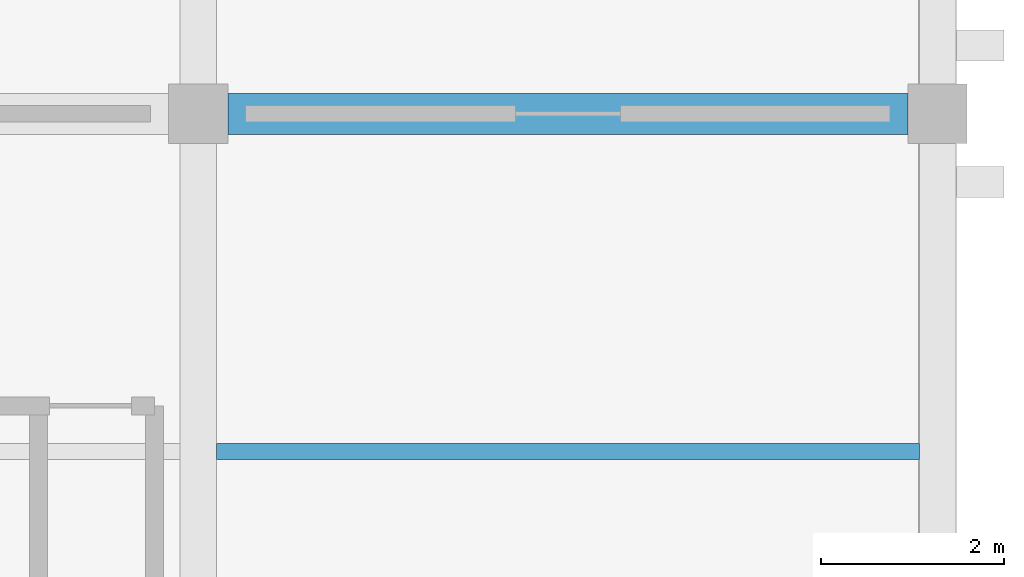
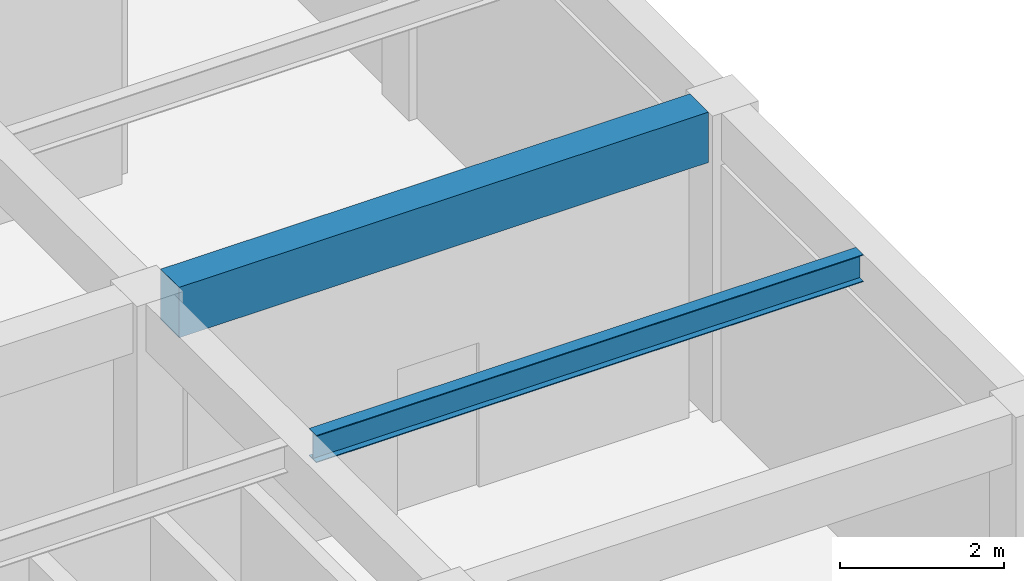
# One storey, part 110 of 161: 2 beams.
"""IFC4 building model written with IfcOpenShell, lengths in metres."""

import ifcopenshell
import ifcopenshell.guid

model = None  # the IFC model being written
_history = None  # IfcOwnerHistory: only IFC2X3 demands one
_inside = {}  # id of a spatial element -> (the spatial element, [elements in it])
_under = {}  # id of a project, library or spatial element -> (it, [spatial elements below it])
_declared = {}  # id of a project -> (the project, [libraries it declares])
_typed = {}  # id of a type object -> (the type object, [elements of that type])
_made_of = {}  # id of a material, layer set ... -> (it, [elements and type objects made of it])


def new_model(schema):
    """Start an empty IFC model of exactly this schema.

    Asked for "IFC4X3", IfcOpenShell would pick the latest addendum, in which some entities
    have other attributes; the version numbers below select the first issue.
    IFC2X3 requires an IfcOwnerHistory on every rooted entity: one is made here for all.
    """
    global model, _history
    if schema == "IFC4X3":
        model = ifcopenshell.file(schema_version=(4, 3, 0, 0))
    else:
        model = ifcopenshell.file(schema=schema)
    _inside.clear()
    _under.clear()
    _declared.clear()
    _typed.clear()
    _made_of.clear()
    _history = None
    if model.schema == "IFC2X3":
        org = make("IfcOrganization", Name="unknown")
        user = make(
            "IfcPersonAndOrganization",
            ThePerson=make("IfcPerson", FamilyName="unknown"),
            TheOrganization=org,
        )
        app = make(
            "IfcApplication",
            ApplicationDeveloper=org,
            Version="unknown",
            ApplicationFullName="unknown",
            ApplicationIdentifier="unknown",
        )
        _history = make(
            "IfcOwnerHistory",
            OwningUser=user,
            OwningApplication=app,
            ChangeAction="ADDED",
            CreationDate=0,
        )
    return model


def make(cls, **values):
    """One entity of the class cls with the attributes given. An attribute that is None is left unset."""
    return model.create_entity(
        cls, **{name: value for name, value in values.items() if value is not None}
    )


def rooted(cls, **values):
    """An entity with a GlobalId (a new one), such as an element, a storey or a relation."""
    return make(cls, GlobalId=ifcopenshell.guid.new(), OwnerHistory=_history, **values)


def si_unit(unit_type, name, prefix=None):
    """IfcSIUnit, for example si_unit("LENGTHUNIT", "METRE", prefix="MILLI")."""
    return make("IfcSIUnit", UnitType=unit_type, Prefix=prefix, Name=name)


def assignment(units):
    """IfcUnitAssignment: the units of a project."""
    return None if units is None else make("IfcUnitAssignment", Units=units)


def point(xyz):
    """IfcCartesianPoint."""
    return None if xyz is None else make("IfcCartesianPoint", Coordinates=xyz)


def direction(xyz):
    """IfcDirection."""
    return None if xyz is None else make("IfcDirection", DirectionRatios=xyz)


def frame(location, z_axis=None, x_axis=None):
    """IfcAxis2Placement3D, a coordinate frame: its origin and axes. An axis left out is left unset."""
    return make(
        "IfcAxis2Placement3D",
        Location=point(location),
        Axis=direction(z_axis),
        RefDirection=direction(x_axis),
    )


def frame_2d(location, x_axis=None):
    """IfcAxis2Placement2D, a coordinate frame in the plane: its origin and x axis."""
    return make(
        "IfcAxis2Placement2D", Location=point(location), RefDirection=direction(x_axis)
    )


def origin():
    """The frame at (0, 0, 0) with its axes left unset."""
    return frame((0.0, 0.0, 0.0))


def origin_2d():
    """The frame at (0, 0) in the plane with its x axis left unset."""
    return frame_2d((0.0, 0.0))


def place(relative_to, where):
    """IfcLocalPlacement: puts the frame where relative to a parent placement (None: the world)."""
    return make(
        "IfcLocalPlacement", PlacementRelTo=relative_to, RelativePlacement=where
    )


def context(
    kind, dimensions, precision=None, world=None, true_north=None, identifier=None
):
    """IfcGeometricRepresentationContext, for example the 3D "Model" context."""
    return make(
        "IfcGeometricRepresentationContext",
        ContextIdentifier=identifier,
        ContextType=kind,
        CoordinateSpaceDimension=dimensions,
        Precision=precision,
        WorldCoordinateSystem=world,
        TrueNorth=true_north,
    )


def subcontext(parent, identifier, kind, view, scale=None):
    """IfcGeometricRepresentationSubContext, for example "Body" below "Model"."""
    return make(
        "IfcGeometricRepresentationSubContext",
        ContextIdentifier=identifier,
        ContextType=kind,
        ParentContext=parent,
        TargetScale=scale,
        TargetView=view,
    )


def project(units=None, contexts=None):
    """IfcProject with its units and contexts."""
    return rooted(
        "IfcProject",
        Name="project",
        RepresentationContexts=contexts,
        UnitsInContext=assignment(units),
    )


def spatial(cls, under=None, at=None, **own):
    """A site, building, storey or space (cls), placed at a placement, below another one or the project."""
    s = rooted(cls, ObjectPlacement=at, **own)
    if under is not None:
        _under.setdefault(under.id(), (under, []))[1].append(s)
    return s


def profile(cls, at=None, kind="AREA", **sizes):
    """A parametric profile (cls). Its sizes go by their IFC names, for example OverallWidth=200.0."""
    return make(cls, ProfileType=kind, Position=at, **sizes)


def rectangle(**sizes):
    """IfcRectangleProfileDef."""
    return profile("IfcRectangleProfileDef", **sizes)


def i_section(**sizes):
    """IfcIShapeProfileDef."""
    return profile("IfcIShapeProfileDef", **sizes)


def extrude(swept, where, along, depth):
    """IfcExtrudedAreaSolid: the profile swept, set in the frame where, extruded along a direction by depth."""
    return make(
        "IfcExtrudedAreaSolid",
        SweptArea=swept,
        Position=where,
        ExtrudedDirection=direction(along),
        Depth=depth,
    )


def shape(context_of_items, identifier, shape_type, items):
    """IfcShapeRepresentation: the items that make up one representation, for example the "Body"."""
    return make(
        "IfcShapeRepresentation",
        ContextOfItems=context_of_items,
        RepresentationIdentifier=identifier,
        RepresentationType=shape_type,
        Items=items,
    )


def material(Name=None, Category=None):
    """IfcMaterial."""
    return make("IfcMaterial", Name=Name, Category=Category)


def material_profile(
    of_material, cross_section, Name=None, Category=None, Priority=None
):
    """IfcMaterialProfile: a cross section and its material."""
    return make(
        "IfcMaterialProfile",
        Name=Name,
        Material=of_material,
        Profile=cross_section,
        Priority=Priority,
        Category=Category,
    )


def profile_set(profiles, Name=None, composite=None):
    """IfcMaterialProfileSet."""
    return make(
        "IfcMaterialProfileSet",
        Name=Name,
        MaterialProfiles=profiles,
        CompositeProfile=composite,
    )


def made_of(thing, what):
    """Note that an element or type object is made of a material, layer set ...; save() writes the relation."""
    if what is not None:
        _made_of.setdefault(what.id(), (what, []))[1].append(thing)
    return thing


def type_object(cls, material=None, **own):
    """A type object (cls), such as IfcWallType, which elements share."""
    return made_of(rooted(cls, **own), material)


def element(
    cls,
    number,
    at=None,
    inside=None,
    cuts=None,
    type_object=None,
    material=None,
    context=None,
    identifier="Body",
    shape_type=None,
    held_by="IfcProductDefinitionShape",
    body=None,
    shapes=None,
    **own,
):
    """One element of the class cls, such as IfcWall. Its Tag is "e" and its number.

    at: its placement. inside: the storey or other place that contains it. cuts: it is an
    opening in that element (IfcRelVoidsElement). A single representation is given by context,
    identifier, shape_type and body (its items); several are given by shapes. held_by: the class
    of the entity that holds the representations. save() writes the other relations.
    """
    e = rooted(cls, Tag="e%d" % number, ObjectPlacement=at, **own)
    if body is not None:
        shapes = [shape(context, identifier, shape_type, body)]
    if shapes is not None:
        e.Representation = make(held_by, Representations=shapes)
    if inside is not None:
        _inside.setdefault(inside.id(), (inside, []))[1].append(e)
    if cuts is not None:
        rooted(
            "IfcRelVoidsElement", RelatingBuildingElement=cuts, RelatedOpeningElement=e
        )
    if type_object is not None:
        _typed.setdefault(type_object.id(), (type_object, []))[1].append(e)
    return made_of(e, material)


def aggregate(whole, parts):
    """IfcRelAggregates: a whole, such as a stair, and the parts it consists of."""
    return rooted("IfcRelAggregates", RelatingObject=whole, RelatedObjects=parts)


def save(model, path):
    """Write the relations noted so far, then the file.

    IfcRelAggregates (storeys below a building ...), IfcRelContainedInSpatialStructure (elements
    in a storey), IfcRelDefinesByType, IfcRelAssociatesMaterial and IfcRelDeclares: one each for
    every whole, place, type object, material and project.
    """
    for whole, parts in _under.values():
        aggregate(whole, parts)
    for where, things in _inside.values():
        rooted(
            "IfcRelContainedInSpatialStructure",
            RelatedElements=things,
            RelatingStructure=where,
        )
    for kind, things in _typed.values():
        rooted("IfcRelDefinesByType", RelatedObjects=things, RelatingType=kind)
    for what, things in _made_of.values():
        rooted("IfcRelAssociatesMaterial", RelatedObjects=things, RelatingMaterial=what)
    for by, libraries in _declared.values():
        rooted("IfcRelDeclares", RelatingContext=by, RelatedDefinitions=libraries)
    model.write(path)


model = new_model("IFC4")

# Units and contexts
model_context = context("Model", 3, precision=1e-05, world=origin(), true_north=direction((0.0, 1.0)))
body_context = subcontext(model_context, "Body", "Model", "MODEL_VIEW")
ifc_project = project(units=[si_unit("LENGTHUNIT", "METRE"), si_unit("AREAUNIT", "SQUARE_METRE"), si_unit("VOLUMEUNIT", "CUBIC_METRE"), si_unit("PLANEANGLEUNIT", "RADIAN"), si_unit("MASSUNIT", "GRAM", prefix="KILO")], contexts=[model_context])

# Site, building, storey
site_placement = place(None, origin())
site = spatial("IfcSite", under=ifc_project, at=site_placement, CompositionType="ELEMENT")
building_placement = place(site_placement, origin())
building = spatial("IfcBuilding", under=site, at=building_placement, Name="Cimatlan Art Gallery", CompositionType="ELEMENT")
storey_placement = place(building_placement, frame((0.0, 0.0, 5.39990234375)))
storey = spatial("IfcBuildingStorey", under=building, at=storey_placement, Name="L01", CompositionType="ELEMENT", Elevation=5.39990234375)

# Beams
ifc_material_1 = material(Name="Concrete C40/50", Category="concrete")
ifc_material_profile_1 = material_profile(ifc_material_1, rectangle(XDim=0.449951171875, YDim=0.75, at=origin_2d()), Name="RC450X750")
ifc_profile_set_1 = profile_set([ifc_material_profile_1], Name="Concrete C40/50")
beam_type_1 = type_object("IfcBeamType", Name="BM-RC-450X750", PredefinedType="BEAM", material=ifc_profile_set_1)
beam_1_placement = place(storey_placement, frame((156.22509765625, 38.699951171875, 4.18505859375), z_axis=(1.0, 0.0, 0.0), x_axis=(0.0, 1.0, 0.0)))
element("IfcBeam", 1, at=beam_1_placement, inside=storey, type_object=beam_type_1, Name="BM-X-L01-19-05", PredefinedType="BEAM", context=body_context, shape_type="SweptSolid", body=[
    extrude(rectangle(XDim=0.449951171875, YDim=0.75, at=origin_2d()), origin(), (0.0, 0.0, 1.0), 7.449951171875),
])
ifc_material_2 = material(Name="Steel ASTM A992 Grade 50", Category="steel")
ifc_material_profile_2 = material_profile(ifc_material_2, i_section(OverallWidth=0.177978515625, OverallDepth=0.406982421875, WebThickness=0.0078125, FlangeThickness=0.0126953125, at=origin_2d()), Name="W16X40")
ifc_profile_set_2 = profile_set([ifc_material_profile_2], Name="Steel ASTM A992 Grade 50")
beam_type_2 = type_object("IfcBeamType", Name="BM-STL-W16X40", PredefinedType="JOIST", material=ifc_profile_set_2)
beam_2_placement = place(storey_placement, frame((156.10009765625, 35.0, 4.356689453125), z_axis=(1.0, 0.0, 0.0), x_axis=(0.0, 1.0, 0.0)))
element("IfcBeam", 2, at=beam_2_placement, inside=storey, type_object=beam_type_2, Name="JST-L01-19-04", PredefinedType="JOIST", context=body_context, shape_type="SweptSolid", body=[
    extrude(i_section(OverallWidth=0.177978515625, OverallDepth=0.406982421875, WebThickness=0.0078125, FlangeThickness=0.0126953125, at=origin_2d()), origin(), (0.0, 0.0, 1.0), 7.699951171875),
])

save(model, "model.ifc")
